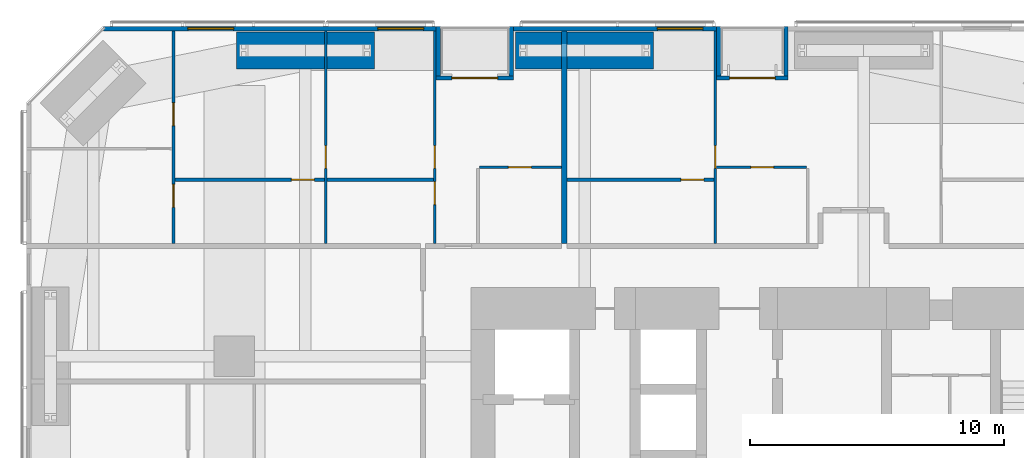
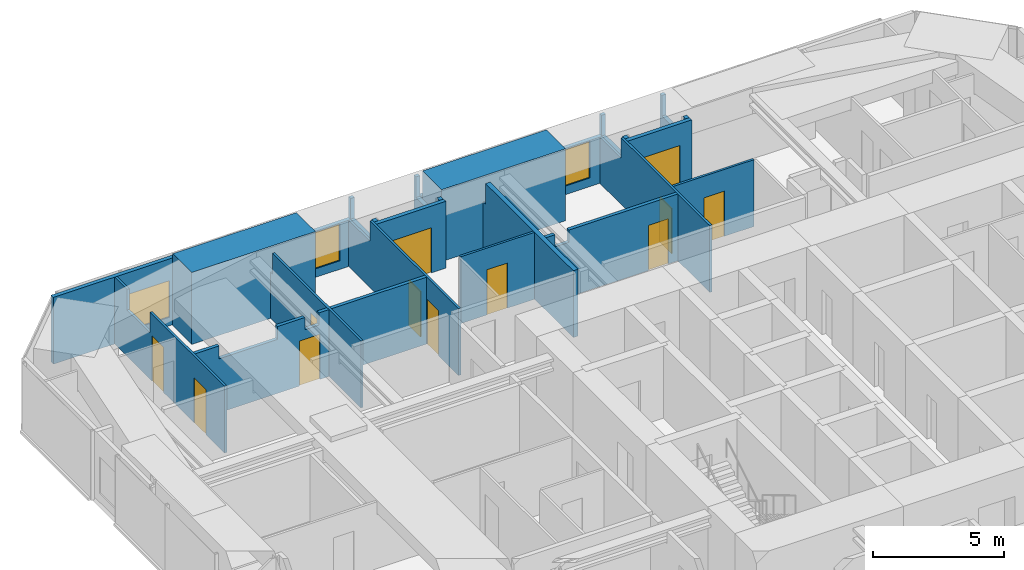
# One storey, part 21 of 23: 20 walls, 12 doors, 3 windows, 15 openings.
"""IFC4 building model written with IfcOpenShell, lengths in metres."""

from ifc_helpers import new_model, si_unit, direction, frame, frame_2d, origin, place, context, subcontext, project, spatial, polyline, rectangle, outline, extrude, material, layer, layer_set, constituent, constituent_set, type_object, element, fill, save


model = new_model("IFC4")

# Units and contexts
model_context = context("Model", 3, precision=1e-05, world=origin(), true_north=direction((0.0, 1.0)))
body_context = subcontext(model_context, "Body", "Model", "MODEL_VIEW")
ifc_project = project(units=[si_unit("LENGTHUNIT", "METRE"), si_unit("AREAUNIT", "SQUARE_METRE"), si_unit("VOLUMEUNIT", "CUBIC_METRE"), si_unit("PLANEANGLEUNIT", "RADIAN"), si_unit("MASSUNIT", "GRAM", prefix="KILO")], contexts=[model_context])

# Site, building, storey
site_placement = place(None, origin())
site = spatial("IfcSite", under=ifc_project, at=site_placement, CompositionType="ELEMENT")
building_placement = place(site_placement, origin())
building = spatial("IfcBuilding", under=site, at=building_placement, Name="Jalousie Tower", CompositionType="ELEMENT")
storey_placement = place(building_placement, frame((0.0, 0.0, 37.75)))
storey = spatial("IfcBuildingStorey", under=building, at=storey_placement, Name="L09", CompositionType="ELEMENT", Elevation=37.75)

# Wall, opening, door
ifc_material_1 = material(Name="Concrete block ASTM C90", Category="concrete")
ifc_constituent_1 = constituent(ifc_material_1, Name="Body")
ifc_material_2 = material(Name="Render")
ifc_constituent_2 = constituent(ifc_material_2, Name="Finish")
ifc_constituent_set_1 = constituent_set(constituents=[ifc_constituent_1, ifc_constituent_2])
wall_type_1 = type_object("IfcWallType", Name="BATHROOM WALL 150", PredefinedType="PLUMBINGWALL", material=ifc_constituent_set_1)
wall_1_placement = place(storey_placement, frame((7.85009765625, 31.949951171875, 0.0), z_axis=(0.0, 0.0, 1.0), x_axis=(1.0, 0.0, 0.0)))
wall_1 = element("IfcWall", 1, at=wall_1_placement, inside=storey, type_object=wall_type_1, Name="Bathroom Wall 150 L09", PredefinedType="PLUMBINGWALL", context=body_context, shape_type="SweptSolid", body=[
    extrude(outline(polyline([(0.0, 0.0), (5.89990234375, 0.0), (5.89990234375, 3.110107421875), (5.46240234375, 3.110107421875), (5.46240234375, 2.541015625), (4.837646484375, 2.541015625), (4.837646484375, 3.110107421875), (3.635009765625, 3.110107421875), (3.635009765625, 2.510009765625), (1.06494140625, 2.510009765625), (1.06494140625, 3.110107421875), (0.0, 3.110107421875), (0.0, 0.0)])), frame((0.0, 0.074951171875, 0.0), z_axis=(0.0, -1.0, 0.0), x_axis=(1.0, 0.0, 0.0)), (0.0, 0.0, 1.0), 0.14990234375),
])
opening_1_placement = place(wall_1_placement, frame((4.60009765625, 0.0, 0.0)))
opening_1 = element("IfcOpeningElement", 2, at=opening_1_placement, cuts=wall_1, Name="Opening D3", PredefinedType="OPENING", context=body_context, shape_type="SweptSolid", body=[
    extrude(rectangle(XDim=0.89990234375, YDim=2.10009765625, at=frame_2d((0.449951171875, 1.050048828125))), frame((0.0, 0.0849609375, 0.0), z_axis=(0.0, -1.0, 0.0), x_axis=(1.0, 0.0, 0.0)), (0.0, 0.0, 1.0), 0.169921875),
])
ifc_material_3 = material(Name="Timber door", Category="wood")
door_type_1 = type_object("IfcDoorType", Name="BATHROOM DOOR 900", OperationType="SINGLE_SWING_LEFT", PredefinedType="DOOR", material=ifc_material_3)
door_1_placement = place(opening_1_placement, frame((0.89990234375, 0.0, 0.0), z_axis=(0.0, 0.0, 1.0), x_axis=(-1.0, 0.0, 0.0)))
door_1 = element("IfcDoor", 3, at=door_1_placement, inside=storey, type_object=door_type_1, Name="Apartment 0904 bedroom 2 bathroom door", OperationType="SINGLE_SWING_LEFT", OverallHeight=2.10009765625, OverallWidth=0.89990234375, PredefinedType="DOOR", context=body_context, shape_type="SweptSolid", body=[
    extrude(rectangle(XDim=0.89990234375, YDim=2.10009765625, at=frame_2d((0.449951171875, 1.050048828125))), frame((0.0, 0.02490234375, 0.0), z_axis=(0.0, -1.0, 0.0), x_axis=(1.0, 0.0, 0.0)), (0.0, 0.0, 1.0), 0.050048828125),
])
fill(opening_1, door_1)

# Wall
wall_2_placement = place(storey_placement, frame((13.85009765625, 31.949951171875, 0.0), z_axis=(0.0, 0.0, 1.0), x_axis=(1.0, 0.0, 0.0)))
element("IfcWall", 4, at=wall_2_placement, inside=storey, type_object=wall_type_1, Name="Bathroom Wall 150 L09", PredefinedType="PLUMBINGWALL", context=body_context, shape_type="SweptSolid", body=[
    extrude(rectangle(XDim=4.199951171875, YDim=0.14990234375, at=frame_2d((2.10009765625, 0.0))), origin(), (0.0, 0.0, 1.0), 3.110107421875),
])

# Wall, opening, door
wall_3_placement = place(storey_placement, frame((23.300048828125, 31.949951171875, 0.0), z_axis=(0.0, 0.0, 1.0), x_axis=(1.0, 0.0, 0.0)))
wall_3 = element("IfcWall", 5, at=wall_3_placement, inside=storey, type_object=wall_type_1, Name="Bathroom Wall 150 L09", PredefinedType="PLUMBINGWALL", context=body_context, shape_type="SweptSolid", body=[
    extrude(outline(polyline([(0.0, 0.0), (5.800048828125, 0.0), (5.800048828125, 3.110107421875), (1.012451171875, 3.110107421875), (1.012451171875, 2.541015625), (0.3876953125, 2.541015625), (0.3876953125, 3.110107421875), (0.0, 3.110107421875), (0.0, 0.0)])), frame((0.0, 0.074951171875, 0.0), z_axis=(0.0, -1.0, 0.0), x_axis=(1.0, 0.0, 0.0)), (0.0, 0.0, 1.0), 0.14990234375),
])
opening_2_placement = place(wall_3_placement, frame((4.5, 0.0, 0.0)))
opening_2 = element("IfcOpeningElement", 6, at=opening_2_placement, cuts=wall_3, Name="Opening D3", PredefinedType="OPENING", context=body_context, shape_type="SweptSolid", body=[
    extrude(rectangle(XDim=0.89990234375, YDim=2.10009765625, at=frame_2d((0.449951171875, 1.050048828125))), frame((0.0, 0.0849609375, 0.0), z_axis=(0.0, -1.0, 0.0), x_axis=(1.0, 0.0, 0.0)), (0.0, 0.0, 1.0), 0.169921875),
])
door_2_placement = place(opening_2_placement, frame((0.89990234375, 0.0, 0.0), z_axis=(0.0, 0.0, 1.0), x_axis=(-1.0, 0.0, 0.0)))
door_2 = element("IfcDoor", 7, at=door_2_placement, inside=storey, type_object=door_type_1, Name="Apartment 0905 bedroom 1 bathroom door", OperationType="SINGLE_SWING_LEFT", OverallHeight=2.10009765625, OverallWidth=0.89990234375, PredefinedType="DOOR", context=body_context, shape_type="SweptSolid", body=[
    extrude(rectangle(XDim=0.89990234375, YDim=2.10009765625, at=frame_2d((0.449951171875, 1.050048828125))), frame((0.0, 0.02490234375, 0.0), z_axis=(0.0, -1.0, 0.0), x_axis=(1.0, 0.0, 0.0)), (0.0, 0.0, 1.0), 0.050048828125),
])
fill(opening_2, door_2)

# Wall, opening, window
ifc_material_4 = material(Name="Concrete f'c 40 MPa", Category="concrete")
ifc_constituent_3 = constituent(ifc_material_4, Name="Body")
ifc_material_5 = material(Name="Render, pastel coral")
ifc_constituent_4 = constituent(ifc_material_5, Name="Finish")
ifc_constituent_set_2 = constituent_set(constituents=[ifc_constituent_3, ifc_constituent_4])
wall_type_2 = type_object("IfcWallType", Name="EXTERNAL WALL 175 CORAL RENDER", PredefinedType="SOLIDWALL", material=ifc_constituent_set_2)
wall_4_placement = place(storey_placement, frame((29.199951171875, 37.91259765625, 0.0), z_axis=(0.0, 0.0, 1.0), x_axis=(-1.0, 0.0, 0.0)))
wall_4 = element("IfcWall", 8, at=wall_4_placement, inside=storey, type_object=wall_type_2, Name="External Wall 175 Coral Render L09", PredefinedType="SOLIDWALL", context=body_context, shape_type="SweptSolid", body=[
    extrude(rectangle(XDim=8.0, YDim=0.175048828125, at=frame_2d((4.0, 0.0))), origin(), (0.0, 0.0, 1.0), 2.14990234375),
])
opening_3_placement = place(wall_4_placement, frame((0.53369140625, 0.0, 0.39990234375)))
opening_3 = element("IfcOpeningElement", 9, at=opening_3_placement, cuts=wall_4, Name="Opening W-BED170", PredefinedType="OPENING", context=body_context, shape_type="SweptSolid", body=[
    extrude(rectangle(XDim=1.800048828125, YDim=1.699951171875, at=frame_2d((0.89990234375, 0.85009765625))), frame((0.0, 0.097412109375, 0.0), z_axis=(0.0, -1.0, 0.0), x_axis=(1.0, 0.0, 0.0)), (0.0, 0.0, 1.0), 0.195068359375),
])
ifc_material_6 = material(Name="Aluminium frame, impact-rated glazing", Category="aluminium")
window_type = type_object("IfcWindowType", Name="WINDOW BED 1800x1700", PartitioningType="SINGLE_PANEL", PredefinedType="WINDOW", material=ifc_material_6)
window_1_placement = place(opening_3_placement, origin())
window_1 = element("IfcWindow", 10, at=window_1_placement, inside=storey, type_object=window_type, Name="Apartment 0905 bedroom 1 window", OverallHeight=1.699951171875, OverallWidth=1.800048828125, PartitioningType="SINGLE_PANEL", PredefinedType="WINDOW", context=body_context, shape_type="SweptSolid", body=[
    extrude(rectangle(XDim=1.800048828125, YDim=1.699951171875, at=frame_2d((0.89990234375, 0.85009765625))), frame((0.0, 0.030029296875, 0.0), z_axis=(0.0, -1.0, 0.0), x_axis=(1.0, 0.0, 0.0)), (0.0, 0.0, 1.0), 0.06005859375),
])
fill(opening_3, window_1)

# Wall, openings, windows
wall_5_placement = place(storey_placement, frame((18.14990234375, 37.91259765625, 0.0), z_axis=(0.0, 0.0, 1.0), x_axis=(-1.0, 0.0, 0.0)))
wall_5 = element("IfcWall", 11, at=wall_5_placement, inside=storey, type_object=wall_type_2, Name="External Wall 175 Coral Render L09", PredefinedType="SOLIDWALL", context=body_context, shape_type="SweptSolid", body=[
    extrude(outline(polyline([(0.0, 0.0), (13.0986328125, 0.0), (13.0986328125, 3.110107421875), (5.35400390625, 3.110107421875), (5.35400390625, 2.14990234375), (5.3056640625, 2.14990234375), (5.3056640625, 3.110107421875), (5.14990234375, 3.110107421875), (5.14990234375, 2.14990234375), (0.0, 2.14990234375), (0.0, 0.0)])), frame((0.0, 0.08740234375, 0.0), z_axis=(0.0, -1.0, 0.0), x_axis=(1.0, 0.0, 0.0)), (0.0, 0.0, 1.0), 0.175048828125),
])
opening_4_placement = place(wall_5_placement, frame((0.492431640625, 0.0, 0.39990234375)))
opening_4 = element("IfcOpeningElement", 12, at=opening_4_placement, cuts=wall_5, Name="Opening W-BED170", PredefinedType="OPENING", context=body_context, shape_type="SweptSolid", body=[
    extrude(rectangle(XDim=1.800048828125, YDim=1.699951171875, at=frame_2d((0.89990234375, 0.85009765625))), frame((0.0, 0.097412109375, 0.0), z_axis=(0.0, -1.0, 0.0), x_axis=(1.0, 0.0, 0.0)), (0.0, 0.0, 1.0), 0.195068359375),
])
opening_5_placement = place(wall_5_placement, frame((7.97998046875, 0.0, 0.39990234375)))
opening_5 = element("IfcOpeningElement", 13, at=opening_5_placement, cuts=wall_5, Name="Opening W-BED170", PredefinedType="OPENING", context=body_context, shape_type="SweptSolid", body=[
    extrude(rectangle(XDim=1.800048828125, YDim=1.699951171875, at=frame_2d((0.89990234375, 0.85009765625))), frame((0.0, 0.097412109375, 0.0), z_axis=(0.0, -1.0, 0.0), x_axis=(1.0, 0.0, 0.0)), (0.0, 0.0, 1.0), 0.195068359375),
])
window_2_placement = place(opening_4_placement, origin())
window_2 = element("IfcWindow", 14, at=window_2_placement, inside=storey, type_object=window_type, Name="Apartment 0904 bedroom 3 window", OverallHeight=1.699951171875, OverallWidth=1.800048828125, PartitioningType="SINGLE_PANEL", PredefinedType="WINDOW", context=body_context, shape_type="SweptSolid", body=[
    extrude(rectangle(XDim=1.800048828125, YDim=1.699951171875, at=frame_2d((0.89990234375, 0.85009765625))), frame((0.0, 0.030029296875, 0.0), z_axis=(0.0, -1.0, 0.0), x_axis=(1.0, 0.0, 0.0)), (0.0, 0.0, 1.0), 0.06005859375),
])
fill(opening_4, window_2)
window_3_placement = place(opening_5_placement, origin())
window_3 = element("IfcWindow", 15, at=window_3_placement, inside=storey, type_object=window_type, Name="Apartment 0904 bedroom 2 window", OverallHeight=1.699951171875, OverallWidth=1.800048828125, PartitioningType="SINGLE_PANEL", PredefinedType="WINDOW", context=body_context, shape_type="SweptSolid", body=[
    extrude(rectangle(XDim=1.800048828125, YDim=1.699951171875, at=frame_2d((0.89990234375, 0.85009765625))), frame((0.0, 0.030029296875, 0.0), z_axis=(0.0, -1.0, 0.0), x_axis=(1.0, 0.0, 0.0)), (0.0, 0.0, 1.0), 0.06005859375),
])
fill(opening_5, window_3)

# Wall, opening, door
wall_6_placement = place(storey_placement, frame((32.02490234375, 35.96240234375, 0.0), z_axis=(0.0, 0.0, 1.0), x_axis=(-1.0, 0.0, 0.0)))
wall_6 = element("IfcWall", 16, at=wall_6_placement, inside=storey, type_object=wall_type_2, Name="External Wall 175 Coral Render L09", PredefinedType="SOLIDWALL", context=body_context, shape_type="SweptSolid", body=[
    extrude(rectangle(XDim=2.824951171875, YDim=0.175048828125, at=frame_2d((1.41259765625, 0.0))), origin(), (0.0, 0.0, 1.0), 3.110107421875),
])
opening_6_placement = place(wall_6_placement, frame((0.512451171875, 0.0, 0.0)))
opening_6 = element("IfcOpeningElement", 17, at=opening_6_placement, cuts=wall_6, Name="Opening D-BAL21", PredefinedType="OPENING", context=body_context, shape_type="SweptSolid", body=[
    extrude(rectangle(XDim=1.800048828125, YDim=2.10009765625, at=frame_2d((0.89990234375, 1.050048828125))), frame((0.0, 0.097412109375, 0.0), z_axis=(0.0, -1.0, 0.0), x_axis=(1.0, 0.0, 0.0)), (0.0, 0.0, 1.0), 0.195068359375),
])
ifc_material_7 = material(Name="Aluminium frame, impact-rated glazing", Category="aluminium")
door_type_2 = type_object("IfcDoorType", Name="BALCONY DOOR 1800x2100", OperationType="SLIDING_TO_LEFT", PredefinedType="DOOR", material=ifc_material_7)
door_3_placement = place(opening_6_placement, origin())
door_3 = element("IfcDoor", 18, at=door_3_placement, inside=storey, type_object=door_type_2, Name="Apartment 0905 living and dining room loggia door", OperationType="SLIDING_TO_LEFT", OverallHeight=2.10009765625, OverallWidth=1.800048828125, PredefinedType="DOOR", context=body_context, shape_type="SweptSolid", body=[
    extrude(rectangle(XDim=1.800048828125, YDim=2.10009765625, at=frame_2d((0.89990234375, 1.050048828125))), frame((0.0, 0.02490234375, 0.0), z_axis=(0.0, -1.0, 0.0), x_axis=(1.0, 0.0, 0.0)), (0.0, 0.0, 1.0), 0.050048828125),
])
fill(opening_6, door_3)

# Walls
for number, where, z_axis, x_axis, name in (
    (19, (31.9375, 38.0, 0.0), (0.0, 0.0, 1.0), (0.0, -1.0, 0.0), "External Wall 175 Coral Render L09"),
    (20, (29.28759765625, 38.0, 0.0), (0.0, 0.0, 1.0), (0.0, -1.0, 0.0), "External Wall 175 Coral Render L09"),
):
    element("IfcWall", number, at=place(storey_placement, frame(where, z_axis=z_axis, x_axis=x_axis)), inside=storey, type_object=wall_type_2, Name=name, PredefinedType="SOLIDWALL", context=body_context, shape_type="SweptSolid", body=[
        extrude(outline(polyline([(0.0, 0.0), (1.949951171875, 0.0), (1.949951171875, 3.110107421875), (1.75, 3.110107421875), (1.75, 2.14990234375), (0.14990234375, 2.14990234375), (0.14990234375, 3.110107421875), (0.0, 3.110107421875), (0.0, 0.0)])), frame((0.0, 0.08740234375, 0.0), z_axis=(0.0, -1.0, 0.0), x_axis=(1.0, 0.0, 0.0)), (0.0, 0.0, 1.0), 0.175048828125),
    ])

# Wall, opening, door
wall_7_placement = place(storey_placement, frame((21.199951171875, 35.96240234375, 0.0), z_axis=(0.0, 0.0, 1.0), x_axis=(-1.0, 0.0, 0.0)))
wall_7 = element("IfcWall", 21, at=wall_7_placement, inside=storey, type_object=wall_type_2, Name="External Wall 175 Coral Render L09", PredefinedType="SOLIDWALL", context=body_context, shape_type="SweptSolid", body=[
    extrude(rectangle(XDim=3.050048828125, YDim=0.175048828125, at=frame_2d((1.52490234375, 0.0))), origin(), (0.0, 0.0, 1.0), 3.110107421875),
])
opening_7_placement = place(wall_7_placement, frame((0.625, 0.0, 0.0)))
opening_7 = element("IfcOpeningElement", 22, at=opening_7_placement, cuts=wall_7, Name="Opening D-BAL21", PredefinedType="OPENING", context=body_context, shape_type="SweptSolid", body=[
    extrude(rectangle(XDim=1.800048828125, YDim=2.10009765625, at=frame_2d((0.89990234375, 1.050048828125))), frame((0.0, 0.097412109375, 0.0), z_axis=(0.0, -1.0, 0.0), x_axis=(1.0, 0.0, 0.0)), (0.0, 0.0, 1.0), 0.195068359375),
])
door_4_placement = place(opening_7_placement, origin())
door_4 = element("IfcDoor", 23, at=door_4_placement, inside=storey, type_object=door_type_2, Name="Apartment 0904 living and dining room loggia door", OperationType="SLIDING_TO_LEFT", OverallHeight=2.10009765625, OverallWidth=1.800048828125, PredefinedType="DOOR", context=body_context, shape_type="SweptSolid", body=[
    extrude(rectangle(XDim=1.800048828125, YDim=2.10009765625, at=frame_2d((0.89990234375, 1.050048828125))), frame((0.0, 0.02490234375, 0.0), z_axis=(0.0, -1.0, 0.0), x_axis=(1.0, 0.0, 0.0)), (0.0, 0.0, 1.0), 0.050048828125),
])
fill(opening_7, door_4)

# Walls
for number, where, z_axis, x_axis, name in (
    (24, (21.112548828125, 38.0, 0.0), (0.0, 0.0, 1.0), (0.0, -1.0, 0.0), "External Wall 175 Coral Render L09"),
    (25, (18.237548828125, 38.0, 0.0), (0.0, 0.0, 1.0), (0.0, -1.0, 0.0), "External Wall 175 Coral Render L09"),
):
    element("IfcWall", number, at=place(storey_placement, frame(where, z_axis=z_axis, x_axis=x_axis)), inside=storey, type_object=wall_type_2, Name=name, PredefinedType="SOLIDWALL", context=body_context, shape_type="SweptSolid", body=[
        extrude(outline(polyline([(0.0, 0.0), (1.949951171875, 0.0), (1.949951171875, 3.110107421875), (1.75, 3.110107421875), (1.75, 2.14990234375), (0.14990234375, 2.14990234375), (0.14990234375, 3.110107421875), (0.0, 3.110107421875), (0.0, 0.0)])), frame((0.0, 0.08740234375, 0.0), z_axis=(0.0, -1.0, 0.0), x_axis=(1.0, 0.0, 0.0)), (0.0, 0.0, 1.0), 0.175048828125),
    ])

# Wall, openings, doors
ifc_material_8 = material(Name="Gypsum board", Category="gypsum")
ifc_constituent_5 = constituent(ifc_material_8, Name="Body")
ifc_material_9 = material(Name="Light-gauge steel studs ASTM A653 SS Grade 33", Category="steel")
ifc_constituent_6 = constituent(ifc_material_9, Name="Framing")
ifc_constituent_set_3 = constituent_set(constituents=[ifc_constituent_5, ifc_constituent_6])
wall_type_3 = type_object("IfcWallType", Name="PARTITION 100", PredefinedType="PARTITIONING", material=ifc_constituent_set_3)
wall_8_placement = place(storey_placement, frame((7.800048828125, 37.824951171875, 0.0), z_axis=(0.0, 0.0, 1.0), x_axis=(0.0, -1.0, 0.0)))
wall_8 = element("IfcWall", 26, at=wall_8_placement, inside=storey, type_object=wall_type_3, Name="Partition 100 L09", PredefinedType="PARTITIONING", context=body_context, shape_type="SweptSolid", body=[
    extrude(outline(polyline([(0.0, 0.0), (8.375, 0.0), (8.375, 3.110107421875), (2.697021484375, 3.110107421875), (2.697021484375, 2.14990234375), (0.942626953125, 2.14990234375), (0.942626953125, 3.110107421875), (0.0, 3.110107421875), (0.0, 0.0)])), frame((0.0, 0.050048828125, 0.0), z_axis=(0.0, -1.0, 0.0), x_axis=(1.0, 0.0, 0.0)), (0.0, 0.0, 1.0), 0.10009765625),
])
opening_8_placement = place(wall_8_placement, frame((2.84228515625, 0.0, 0.0)))
opening_8 = element("IfcOpeningElement", 27, at=opening_8_placement, cuts=wall_8, Name="Opening D2", PredefinedType="OPENING", context=body_context, shape_type="SweptSolid", body=[
    extrude(rectangle(XDim=0.89990234375, YDim=2.10009765625, at=frame_2d((0.449951171875, 1.050048828125))), frame((0.0, 0.06005859375, 0.0), z_axis=(0.0, -1.0, 0.0), x_axis=(1.0, 0.0, 0.0)), (0.0, 0.0, 1.0), 0.1201171875),
])
opening_9_placement = place(wall_8_placement, frame((6.05859375, 0.0, 0.0)))
opening_9 = element("IfcOpeningElement", 28, at=opening_9_placement, cuts=wall_8, Name="Opening D3", PredefinedType="OPENING", context=body_context, shape_type="SweptSolid", body=[
    extrude(rectangle(XDim=0.89990234375, YDim=2.10009765625, at=frame_2d((0.449951171875, 1.050048828125))), frame((0.0, 0.06005859375, 0.0), z_axis=(0.0, -1.0, 0.0), x_axis=(1.0, 0.0, 0.0)), (0.0, 0.0, 1.0), 0.1201171875),
])
door_5_placement = place(opening_9_placement, origin())
door_5 = element("IfcDoor", 29, at=door_5_placement, inside=storey, type_object=door_type_1, Name="Apartment 0904 bedroom 1 bathroom door", OperationType="SINGLE_SWING_LEFT", OverallHeight=2.10009765625, OverallWidth=0.89990234375, PredefinedType="DOOR", context=body_context, shape_type="SweptSolid", body=[
    extrude(rectangle(XDim=0.89990234375, YDim=2.10009765625, at=frame_2d((0.449951171875, 1.050048828125))), frame((0.0, 0.02490234375, 0.0), z_axis=(0.0, -1.0, 0.0), x_axis=(1.0, 0.0, 0.0)), (0.0, 0.0, 1.0), 0.050048828125),
])
fill(opening_9, door_5)
ifc_material_10 = material(Name="Timber door", Category="wood")
door_type_3 = type_object("IfcDoorType", Name="BEDROOM DOOR 900", OperationType="SINGLE_SWING_LEFT", PredefinedType="DOOR", material=ifc_material_10)
door_6_placement = place(opening_8_placement, origin())
door_6 = element("IfcDoor", 30, at=door_6_placement, inside=storey, type_object=door_type_3, Name="Apartment 0904 bedroom 1 door", OperationType="SINGLE_SWING_RIGHT", OverallHeight=2.10009765625, OverallWidth=0.89990234375, PredefinedType="DOOR", context=body_context, shape_type="SweptSolid", body=[
    extrude(rectangle(XDim=0.89990234375, YDim=2.10009765625, at=frame_2d((0.449951171875, 1.050048828125))), frame((0.0, 0.02490234375, 0.0), z_axis=(0.0, -1.0, 0.0), x_axis=(1.0, 0.0, 0.0)), (0.0, 0.0, 1.0), 0.050048828125),
])
fill(opening_8, door_6)

# Wall, opening, door
wall_9_placement = place(storey_placement, frame((13.800048828125, 37.824951171875, 0.0), z_axis=(0.0, 0.0, 1.0), x_axis=(0.0, -1.0, 0.0)))
wall_9 = element("IfcWall", 31, at=wall_9_placement, inside=storey, type_object=wall_type_3, Name="Partition 100 L09", PredefinedType="PARTITIONING", context=body_context, shape_type="SweptSolid", body=[
    extrude(outline(polyline([(1.635009765625, 2.14990234375), (0.0, 2.14990234375), (0.0, 0.0), (8.375, 0.0), (8.375, 3.110107421875), (1.635009765625, 3.110107421875), (1.635009765625, 2.14990234375)]), holes=[polyline([(1.021240234375, 0.1259765625), (0.52880859375, 0.1259765625), (0.52880859375, 0.9189453125), (1.021240234375, 0.9189453125), (1.021240234375, 0.1259765625)]), polyline([(1.021240234375, 1.231201171875), (0.52880859375, 1.231201171875), (0.52880859375, 2.02392578125), (1.021240234375, 2.02392578125), (1.021240234375, 1.231201171875)])]), frame((0.0, 0.050048828125, 0.0), z_axis=(0.0, -1.0, 0.0), x_axis=(1.0, 0.0, 0.0)), (0.0, 0.0, 1.0), 0.10009765625),
])
opening_10_placement = place(wall_9_placement, frame((4.52490234375, 0.0, 0.0)))
opening_10 = element("IfcOpeningElement", 32, at=opening_10_placement, cuts=wall_9, Name="Opening D2", PredefinedType="OPENING", context=body_context, shape_type="SweptSolid", body=[
    extrude(rectangle(XDim=0.89990234375, YDim=2.10009765625, at=frame_2d((0.449951171875, 1.050048828125))), frame((0.0, 0.06005859375, 0.0), z_axis=(0.0, -1.0, 0.0), x_axis=(1.0, 0.0, 0.0)), (0.0, 0.0, 1.0), 0.1201171875),
])
door_7_placement = place(opening_10_placement, frame((0.89990234375, 0.0, 0.0), z_axis=(0.0, 0.0, 1.0), x_axis=(-1.0, 0.0, 0.0)))
door_7 = element("IfcDoor", 33, at=door_7_placement, inside=storey, type_object=door_type_3, Name="Apartment 0904 bedroom 2 door", OperationType="SINGLE_SWING_LEFT", OverallHeight=2.10009765625, OverallWidth=0.89990234375, PredefinedType="DOOR", context=body_context, shape_type="SweptSolid", body=[
    extrude(rectangle(XDim=0.89990234375, YDim=2.10009765625, at=frame_2d((0.449951171875, 1.050048828125))), frame((0.0, 0.02490234375, 0.0), z_axis=(0.0, -1.0, 0.0), x_axis=(1.0, 0.0, 0.0)), (0.0, 0.0, 1.0), 0.050048828125),
])
fill(opening_10, door_7)

# Wall, openings, doors
wall_10_placement = place(storey_placement, frame((18.10009765625, 37.824951171875, 0.0), z_axis=(0.0, 0.0, 1.0), x_axis=(0.0, -1.0, 0.0)))
wall_10 = element("IfcWall", 34, at=wall_10_placement, inside=storey, type_object=wall_type_3, Name="Partition 100 L09", PredefinedType="PARTITIONING", context=body_context, shape_type="SweptSolid", body=[
    extrude(outline(polyline([(0.0, 0.0), (8.375, 0.0), (8.375, 3.110107421875), (1.635009765625, 3.110107421875), (1.635009765625, 2.14990234375), (0.0, 2.14990234375), (0.0, 3.110107421875), (0.0, 0.0)])), frame((0.0, 0.050048828125, 0.0), z_axis=(0.0, -1.0, 0.0), x_axis=(1.0, 0.0, 0.0)), (0.0, 0.0, 1.0), 0.10009765625),
])
opening_11_placement = place(wall_10_placement, frame((4.52490234375, 0.0, 0.0)))
opening_11 = element("IfcOpeningElement", 35, at=opening_11_placement, cuts=wall_10, Name="Opening D2", PredefinedType="OPENING", context=body_context, shape_type="SweptSolid", body=[
    extrude(rectangle(XDim=0.89990234375, YDim=2.10009765625, at=frame_2d((0.449951171875, 1.050048828125))), frame((0.0, 0.06005859375, 0.0), z_axis=(0.0, -1.0, 0.0), x_axis=(1.0, 0.0, 0.0)), (0.0, 0.0, 1.0), 0.1201171875),
])
opening_12_placement = place(wall_10_placement, frame((5.949951171875, 0.0, 0.0)))
opening_12 = element("IfcOpeningElement", 36, at=opening_12_placement, cuts=wall_10, Name="Opening D7", PredefinedType="OPENING", context=body_context, shape_type="SweptSolid", body=[
    extrude(rectangle(XDim=0.89990234375, YDim=2.10009765625, at=frame_2d((0.449951171875, 1.050048828125))), frame((0.0, 0.06005859375, 0.0), z_axis=(0.0, -1.0, 0.0), x_axis=(1.0, 0.0, 0.0)), (0.0, 0.0, 1.0), 0.1201171875),
])
door_8_placement = place(opening_11_placement, frame((0.89990234375, 0.0, 0.0), z_axis=(0.0, 0.0, 1.0), x_axis=(-1.0, 0.0, 0.0)))
door_8 = element("IfcDoor", 37, at=door_8_placement, inside=storey, type_object=door_type_3, Name="Apartment 0904 bedroom 3 door", OperationType="SINGLE_SWING_LEFT", OverallHeight=2.10009765625, OverallWidth=0.89990234375, PredefinedType="DOOR", context=body_context, shape_type="SweptSolid", body=[
    extrude(rectangle(XDim=0.89990234375, YDim=2.10009765625, at=frame_2d((0.449951171875, 1.050048828125))), frame((0.0, 0.02490234375, 0.0), z_axis=(0.0, -1.0, 0.0), x_axis=(1.0, 0.0, 0.0)), (0.0, 0.0, 1.0), 0.050048828125),
])
fill(opening_11, door_8)
ifc_material_11 = material(Name="Timber door", Category="wood")
door_type_4 = type_object("IfcDoorType", Name="INTERNAL DOOR 900", OperationType="SINGLE_SWING_LEFT", PredefinedType="DOOR", material=ifc_material_11)
door_9_placement = place(opening_12_placement, frame((0.89990234375, 0.0, 0.0), z_axis=(0.0, 0.0, 1.0), x_axis=(-1.0, 0.0, 0.0)))
door_9 = element("IfcDoor", 38, at=door_9_placement, inside=storey, type_object=door_type_4, Name="Apartment 0904 bathroom door", OperationType="SINGLE_SWING_RIGHT", OverallHeight=2.10009765625, OverallWidth=0.89990234375, PredefinedType="DOOR", context=body_context, shape_type="SweptSolid", body=[
    extrude(rectangle(XDim=0.89990234375, YDim=2.10009765625, at=frame_2d((0.449951171875, 1.050048828125))), frame((0.0, 0.02490234375, 0.0), z_axis=(0.0, -1.0, 0.0), x_axis=(1.0, 0.0, 0.0)), (0.0, 0.0, 1.0), 0.050048828125),
])
fill(opening_12, door_9)

# Wall, opening, door
wall_11_placement = place(storey_placement, frame((19.85009765625, 32.449951171875, 0.0), z_axis=(0.0, 0.0, 1.0), x_axis=(1.0, 0.0, 0.0)))
wall_11 = element("IfcWall", 39, at=wall_11_placement, inside=storey, type_object=wall_type_3, Name="Partition 100 L09", PredefinedType="PARTITIONING", context=body_context, shape_type="SweptSolid", body=[
    extrude(rectangle(XDim=3.25, YDim=0.10009765625, at=frame_2d((1.625, 0.0))), origin(), (0.0, 0.0, 1.0), 3.110107421875),
])
opening_13_placement = place(wall_11_placement, frame((1.14990234375, 0.0, 0.0)))
opening_13 = element("IfcOpeningElement", 40, at=opening_13_placement, cuts=wall_11, Name="Opening D7", PredefinedType="OPENING", context=body_context, shape_type="SweptSolid", body=[
    extrude(rectangle(XDim=0.89990234375, YDim=2.10009765625, at=frame_2d((0.449951171875, 1.050048828125))), frame((0.0, 0.06005859375, 0.0), z_axis=(0.0, -1.0, 0.0), x_axis=(1.0, 0.0, 0.0)), (0.0, 0.0, 1.0), 0.1201171875),
])
door_10_placement = place(opening_13_placement, origin())
door_10 = element("IfcDoor", 41, at=door_10_placement, inside=storey, type_object=door_type_4, Name="Apartment 0904 kitchen door", OperationType="SINGLE_SWING_RIGHT", OverallHeight=2.10009765625, OverallWidth=0.89990234375, PredefinedType="DOOR", context=body_context, shape_type="SweptSolid", body=[
    extrude(rectangle(XDim=0.89990234375, YDim=2.10009765625, at=frame_2d((0.449951171875, 1.050048828125))), frame((0.0, 0.02490234375, 0.0), z_axis=(0.0, -1.0, 0.0), x_axis=(1.0, 0.0, 0.0)), (0.0, 0.0, 1.0), 0.050048828125),
])
fill(opening_13, door_10)

wall_12_placement = place(storey_placement, frame((29.14990234375, 37.824951171875, 0.0), z_axis=(0.0, 0.0, 1.0), x_axis=(0.0, -1.0, 0.0)))
wall_12 = element("IfcWall", 42, at=wall_12_placement, inside=storey, type_object=wall_type_3, Name="Partition 100 L09", PredefinedType="PARTITIONING", context=body_context, shape_type="SweptSolid", body=[
    extrude(outline(polyline([(0.0, 0.0), (8.375, 0.0), (8.375, 3.110107421875), (1.635009765625, 3.110107421875), (1.635009765625, 2.14990234375), (0.0, 2.14990234375), (0.0, 3.110107421875), (0.0, 0.0)])), frame((0.0, 0.050048828125, 0.0), z_axis=(0.0, -1.0, 0.0), x_axis=(1.0, 0.0, 0.0)), (0.0, 0.0, 1.0), 0.10009765625),
])
opening_14_placement = place(wall_12_placement, frame((4.52490234375, 0.0, 0.0)))
opening_14 = element("IfcOpeningElement", 43, at=opening_14_placement, cuts=wall_12, Name="Opening D2", PredefinedType="OPENING", context=body_context, shape_type="SweptSolid", body=[
    extrude(rectangle(XDim=0.89990234375, YDim=2.10009765625, at=frame_2d((0.449951171875, 1.050048828125))), frame((0.0, 0.06005859375, 0.0), z_axis=(0.0, -1.0, 0.0), x_axis=(1.0, 0.0, 0.0)), (0.0, 0.0, 1.0), 0.1201171875),
])
door_11_placement = place(opening_14_placement, frame((0.89990234375, 0.0, 0.0), z_axis=(0.0, 0.0, 1.0), x_axis=(-1.0, 0.0, 0.0)))
door_11 = element("IfcDoor", 44, at=door_11_placement, inside=storey, type_object=door_type_3, Name="Apartment 0905 bedroom 1 door", OperationType="SINGLE_SWING_LEFT", OverallHeight=2.10009765625, OverallWidth=0.89990234375, PredefinedType="DOOR", context=body_context, shape_type="SweptSolid", body=[
    extrude(rectangle(XDim=0.89990234375, YDim=2.10009765625, at=frame_2d((0.449951171875, 1.050048828125))), frame((0.0, 0.02490234375, 0.0), z_axis=(0.0, -1.0, 0.0), x_axis=(1.0, 0.0, 0.0)), (0.0, 0.0, 1.0), 0.050048828125),
])
fill(opening_14, door_11)

wall_13_placement = place(storey_placement, frame((29.199951171875, 32.449951171875, 0.0), z_axis=(0.0, 0.0, 1.0), x_axis=(1.0, 0.0, 0.0)))
wall_13 = element("IfcWall", 45, at=wall_13_placement, inside=storey, type_object=wall_type_3, Name="Partition 100 L09", PredefinedType="PARTITIONING", context=body_context, shape_type="SweptSolid", body=[
    extrude(rectangle(XDim=3.550048828125, YDim=0.10009765625, at=frame_2d((1.77490234375, 0.0))), origin(), (0.0, 0.0, 1.0), 3.110107421875),
])
opening_15_placement = place(wall_13_placement, frame((1.35009765625, 0.0, 0.0)))
opening_15 = element("IfcOpeningElement", 46, at=opening_15_placement, cuts=wall_13, Name="Opening D7", PredefinedType="OPENING", context=body_context, shape_type="SweptSolid", body=[
    extrude(rectangle(XDim=0.89990234375, YDim=2.10009765625, at=frame_2d((0.449951171875, 1.050048828125))), frame((0.0, 0.06005859375, 0.0), z_axis=(0.0, -1.0, 0.0), x_axis=(1.0, 0.0, 0.0)), (0.0, 0.0, 1.0), 0.1201171875),
])
door_12_placement = place(opening_15_placement, origin())
door_12 = element("IfcDoor", 47, at=door_12_placement, inside=storey, type_object=door_type_4, Name="Apartment 0905 kitchen door", OperationType="SINGLE_SWING_LEFT", OverallHeight=2.10009765625, OverallWidth=0.89990234375, PredefinedType="DOOR", context=body_context, shape_type="SweptSolid", body=[
    extrude(rectangle(XDim=0.89990234375, YDim=2.10009765625, at=frame_2d((0.449951171875, 1.050048828125))), frame((0.0, 0.02490234375, 0.0), z_axis=(0.0, -1.0, 0.0), x_axis=(1.0, 0.0, 0.0)), (0.0, 0.0, 1.0), 0.050048828125),
])
fill(opening_15, door_12)

# Walls
ifc_material_12 = material(Name="Concrete block ASTM C90", Category="concrete")
ifc_constituent_7 = constituent(ifc_material_12, Name="Body")
ifc_material_13 = material(Name="Render")
ifc_constituent_8 = constituent(ifc_material_13, Name="Finish")
ifc_constituent_set_4 = constituent_set(constituents=[ifc_constituent_7, ifc_constituent_8])
wall_type_4 = type_object("IfcWallType", Name="PARTY WALL 200", PredefinedType="PARTITIONING", material=ifc_constituent_set_4)
wall_14_placement = place(storey_placement, frame((23.199951171875, 37.824951171875, 0.0), z_axis=(0.0, 0.0, 1.0), x_axis=(0.0, -1.0, 0.0)))
element("IfcWall", 48, at=wall_14_placement, inside=storey, type_object=wall_type_4, Name="Party Wall 200 L09", PredefinedType="PARTITIONING", context=body_context, shape_type="SweptSolid", body=[
    extrude(outline(polyline([(0.52880859375, 2.14990234375), (0.0, 2.14990234375), (0.0, 0.0), (0.52880859375, 0.0), (0.52880859375, 0.953369140625), (1.021240234375, 0.953369140625), (1.021240234375, 0.0), (8.375, 0.0), (8.375, 3.110107421875), (1.68505859375, 3.110107421875), (1.68505859375, 2.14990234375), (1.021240234375, 2.14990234375), (1.021240234375, 1.196533203125), (0.52880859375, 1.196533203125), (0.52880859375, 2.14990234375)])), frame((0.0, 0.10009765625, 0.0), z_axis=(0.0, -1.0, 0.0), x_axis=(1.0, 0.0, 0.0)), (0.0, 0.0, 1.0), 0.199951171875),
])
ifc_material_14 = material(Name="Concrete f'c 120 MPa", Category="concrete")
ifc_layer = layer(ifc_material_14, 1.449951171875)
ifc_layer_set = layer_set([ifc_layer], Name="Concrete f'c 120 MPa")
wall_type_5 = type_object("IfcWallType", Name="RC WALL PIER 1450", PredefinedType="SHEAR", material=ifc_layer_set)
for number, where, z_axis, x_axis, name in (
    (49, (21.27490234375, 37.050048828125, 0.0), (0.0, 0.0, 1.0), (1.0, 0.0, 0.0), "Wall pier 10 L09"),
    (50, (10.27490234375, 37.050048828125, 0.0), (0.0, 0.0, 1.0), (1.0, 0.0, 0.0), "Wall pier 11 L09"),
):
    element("IfcWall", number, at=place(storey_placement, frame(where, z_axis=z_axis, x_axis=x_axis)), inside=storey, type_object=wall_type_5, Name=name, PredefinedType="SHEAR", context=body_context, shape_type="SweptSolid", body=[
        extrude(rectangle(XDim=5.4501953125, YDim=1.449951171875, at=frame_2d((2.72509765625, 0.0))), origin(), (0.0, 0.0, 1.0), 3.35009765625),
    ])

save(model, "model.ifc")
